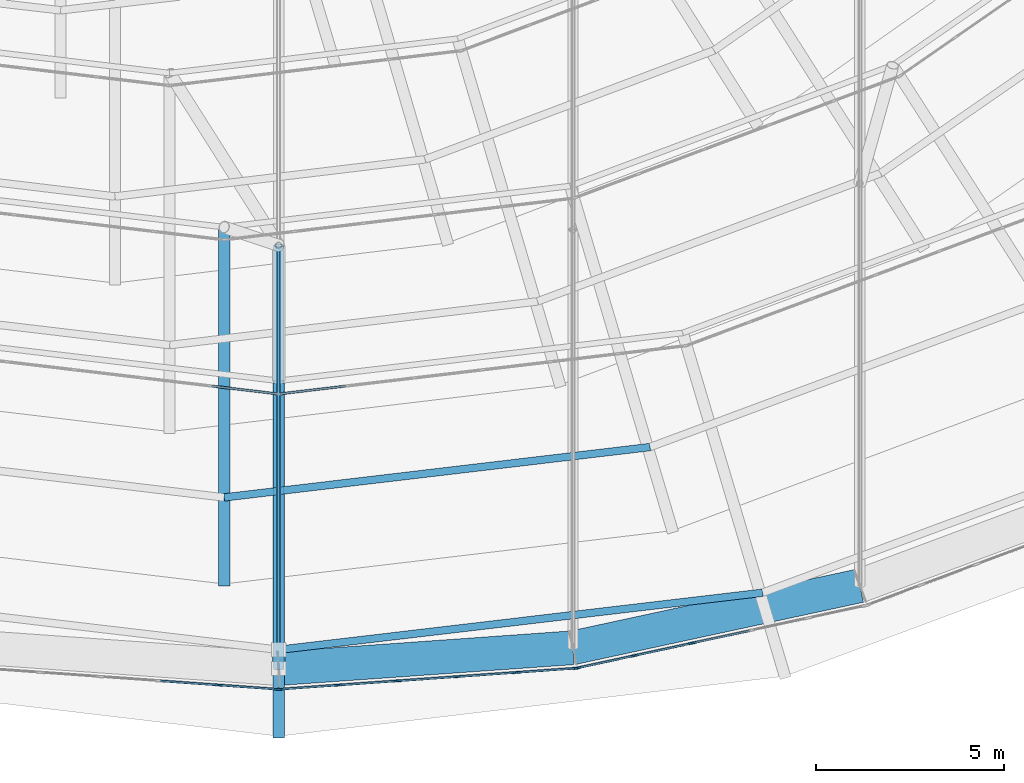
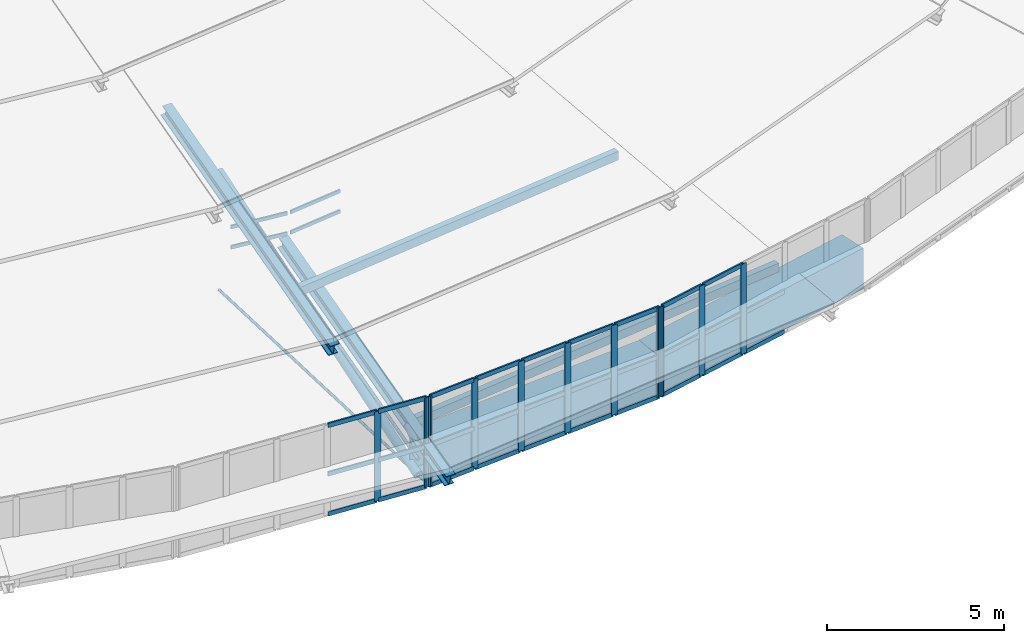
# One storey, part 13 of 173: 52 members, 2 beams, 5 elements without a shape of their own.
"""IFC4 building model written with IfcOpenShell, lengths in metres."""

from ifc_helpers import new_model, si_unit, direction, frame, origin, origin_2d, place, context, subcontext, project, spatial, rectangle, hollow_rectangle, circle, hollow_circle, i_section, extrude, material, material_profile, profile_set, type_object, element, aggregate, save


model = new_model("IFC4")

# Units and contexts
model_context = context("Model", 3, precision=1e-05, world=origin(), true_north=direction((0.0, 1.0)))
body_context = subcontext(model_context, "Body", "Model", "MODEL_VIEW")
ifc_project = project(units=[si_unit("LENGTHUNIT", "METRE"), si_unit("AREAUNIT", "SQUARE_METRE"), si_unit("VOLUMEUNIT", "CUBIC_METRE"), si_unit("PLANEANGLEUNIT", "RADIAN"), si_unit("MASSUNIT", "GRAM", prefix="KILO")], contexts=[model_context])

# Site, building, storey
site_placement = place(None, origin())
site = spatial("IfcSite", under=ifc_project, at=site_placement, CompositionType="ELEMENT")
building_placement = place(site_placement, origin())
building = spatial("IfcBuilding", under=site, at=building_placement, Name="Glasvene Arena", CompositionType="ELEMENT")
storey_placement = place(building_placement, frame((0.0, 0.0, 28.800048828125)))
storey = spatial("IfcBuildingStorey", under=building, at=storey_placement, Name="RF", CompositionType="ELEMENT", Elevation=28.800048828125)

# Beams
ifc_material_1 = material(Name="Steel S355J2", Category="steel")
ifc_material_profile_1 = material_profile(ifc_material_1, hollow_rectangle(XDim=0.89990234375, YDim=1.39990234375, WallThickness=0.034912109375, at=origin_2d()), Name="WBOX 900x1400x35")
ifc_profile_set_1 = profile_set([ifc_material_profile_1], Name="Steel S355J2")
beam_type = type_object("IfcBeamType", Name="BM-RING-BOX1400", PredefinedType="USERDEFINED", material=ifc_profile_set_1)
beam_1_placement = place(storey_placement, frame((92.0, 28.0, -0.699951171875), z_axis=(0.997501506622, 0.070645200029, 0.0), x_axis=(-0.070645200029, 0.997501506622, 0.0)))
element("IfcBeam", 1, at=beam_1_placement, inside=storey, type_object=beam_type, Name="Compression ring beam chord RB-31", ObjectType="RING BEAM", PredefinedType="USERDEFINED", context=body_context, shape_type="SweptSolid", body=[
    extrude(hollow_rectangle(XDim=0.89990234375, YDim=1.39990234375, WallThickness=0.034912109375, at=origin_2d()), origin(), (0.0, 0.0, 1.0), 7.84130859375),
])
beam_2_placement = place(storey_placement, frame((99.82177734375, 28.553955078125, -0.699951171875), z_axis=(0.977442097296, 0.211203566338, 0.0), x_axis=(-0.211203566338, 0.977442097296, 0.0)))
element("IfcBeam", 2, at=beam_2_placement, inside=storey, type_object=beam_type, Name="Compression ring beam chord RB-32", ObjectType="RING BEAM", PredefinedType="USERDEFINED", context=body_context, shape_type="SweptSolid", body=[
    extrude(hollow_rectangle(XDim=0.89990234375, YDim=1.39990234375, WallThickness=0.034912109375, at=origin_2d()), origin(), (0.0, 0.0, 1.0), 7.804931640625),
])

# Curtain wall, members
ifc_material_2 = material(Name="Low-emissivity laminated double glazing", Category="glass")
curtain_wall_type_1 = type_object("IfcCurtainWallType", Name="CW-DRUM-793x310", PredefinedType="USERDEFINED", material=ifc_material_2)
curtain_wall_1_placement = place(storey_placement, frame((84.09228515625, 28.0107421875, 0.0)))
curtain_wall_1 = element("IfcCurtainWall", 3, at=curtain_wall_1_placement, inside=storey, type_object=curtain_wall_type_1, Name="Crown compression-ring fascia curtain wall 30", ObjectType="CURTAIN WALL", PredefinedType="USERDEFINED")
ifc_material_3 = material(Name="Anodised architectural aluminium", Category="aluminium")
ifc_material_profile_2 = material_profile(ifc_material_3, rectangle(XDim=0.050048828125, YDim=0.199951171875, at=origin_2d()), Name="ALU MULLION 50x200")
ifc_profile_set_2 = profile_set([ifc_material_profile_2], Name="Anodised architectural aluminium")
member_type_1 = type_object("IfcMemberType", Name="CW-MUL-180", PredefinedType="MULLION", material=ifc_profile_set_2)
member_1_placement = place(storey_placement, frame((90.41845703125, 27.562255859375, -1.380126953125), z_axis=(0.0, 0.0, 1.0), x_axis=(0.07073966092, 0.997494812204, 0.0)))
member_1 = element("IfcMember", 4, at=member_1_placement, type_object=member_type_1, Name="CW-080 mullion 5", PredefinedType="MULLION", context=body_context, shape_type="SweptSolid", body=[
    extrude(rectangle(XDim=0.050048828125, YDim=0.199951171875, at=origin_2d()), origin(), (0.0, 0.0, 1.0), 3.10009765625),
])
member_2_placement = place(storey_placement, frame((91.97509765625, 27.45166015625, -1.380126953125), z_axis=(0.0, 0.0, 1.0), x_axis=(0.07073966092, 0.997494812204, 0.0)))
member_2 = element("IfcMember", 5, at=member_2_placement, type_object=member_type_1, Name="CW-080 mullion 6", PredefinedType="MULLION", context=body_context, shape_type="SweptSolid", body=[
    extrude(rectangle(XDim=0.050048828125, YDim=0.199951171875, at=origin_2d()), origin(), (0.0, 0.0, 1.0), 3.10009765625),
])

curtain_wall_2_placement = place(storey_placement, frame((92.0, 27.449951171875, 0.0)))
curtain_wall_2 = element("IfcCurtainWall", 6, at=curtain_wall_2_placement, inside=storey, type_object=curtain_wall_type_1, Name="Crown compression-ring fascia curtain wall 31", ObjectType="CURTAIN WALL", PredefinedType="USERDEFINED")
member_3_placement = place(storey_placement, frame((92.02490234375, 27.45166015625, -1.380126953125), z_axis=(0.0, 0.0, 1.0), x_axis=(-0.07073966092, 0.997494812204, 0.0)))
member_3 = element("IfcMember", 7, at=member_3_placement, type_object=member_type_1, Name="CW-080 mullion 1", PredefinedType="MULLION", context=body_context, shape_type="SweptSolid", body=[
    extrude(rectangle(XDim=0.050048828125, YDim=0.199951171875, at=origin_2d()), origin(), (0.0, 0.0, 1.0), 3.10009765625),
])
member_4_placement = place(storey_placement, frame((93.58154296875, 27.562255859375, -1.380126953125), z_axis=(0.0, 0.0, 1.0), x_axis=(-0.07073966092, 0.997494812204, 0.0)))
member_4 = element("IfcMember", 8, at=member_4_placement, type_object=member_type_1, Name="CW-080 mullion 2", PredefinedType="MULLION", context=body_context, shape_type="SweptSolid", body=[
    extrude(rectangle(XDim=0.050048828125, YDim=0.199951171875, at=origin_2d()), origin(), (0.0, 0.0, 1.0), 3.10009765625),
])
member_5_placement = place(storey_placement, frame((95.1630859375, 27.67431640625, -1.380126953125), z_axis=(0.0, 0.0, 1.0), x_axis=(-0.07073966092, 0.997494812204, 0.0)))
member_5 = element("IfcMember", 9, at=member_5_placement, type_object=member_type_1, Name="CW-080 mullion 3", PredefinedType="MULLION", context=body_context, shape_type="SweptSolid", body=[
    extrude(rectangle(XDim=0.050048828125, YDim=0.199951171875, at=origin_2d()), origin(), (0.0, 0.0, 1.0), 3.10009765625),
])
member_6_placement = place(storey_placement, frame((96.74462890625, 27.786376953125, -1.380126953125), z_axis=(0.0, 0.0, 1.0), x_axis=(-0.07073966092, 0.997494812204, 0.0)))
member_6 = element("IfcMember", 10, at=member_6_placement, type_object=member_type_1, Name="CW-080 mullion 4", PredefinedType="MULLION", context=body_context, shape_type="SweptSolid", body=[
    extrude(rectangle(XDim=0.050048828125, YDim=0.199951171875, at=origin_2d()), origin(), (0.0, 0.0, 1.0), 3.10009765625),
])
member_7_placement = place(storey_placement, frame((98.326171875, 27.898681640625, -1.380126953125), z_axis=(0.0, 0.0, 1.0), x_axis=(-0.07073966092, 0.997494812204, 0.0)))
member_7 = element("IfcMember", 11, at=member_7_placement, type_object=member_type_1, Name="CW-080 mullion 5", PredefinedType="MULLION", context=body_context, shape_type="SweptSolid", body=[
    extrude(rectangle(XDim=0.050048828125, YDim=0.199951171875, at=origin_2d()), origin(), (0.0, 0.0, 1.0), 3.10009765625),
])
member_8_placement = place(storey_placement, frame((99.8828125, 28.009033203125, -1.380126953125), z_axis=(0.0, 0.0, 1.0), x_axis=(-0.07073966092, 0.997494812204, 0.0)))
member_8 = element("IfcMember", 12, at=member_8_placement, type_object=member_type_1, Name="CW-080 mullion 6", PredefinedType="MULLION", context=body_context, shape_type="SweptSolid", body=[
    extrude(rectangle(XDim=0.050048828125, YDim=0.199951171875, at=origin_2d()), origin(), (0.0, 0.0, 1.0), 3.10009765625),
])

curtain_wall_type_2 = type_object("IfcCurtainWallType", Name="CW-DRUM-789x310", PredefinedType="USERDEFINED", material=ifc_material_2)
curtain_wall_3_placement = place(storey_placement, frame((99.90771484375, 28.0107421875, 0.0)))
curtain_wall_3 = element("IfcCurtainWall", 13, at=curtain_wall_3_placement, inside=storey, type_object=curtain_wall_type_2, Name="Crown compression-ring fascia curtain wall 32", ObjectType="CURTAIN WALL", PredefinedType="USERDEFINED")
member_9_placement = place(storey_placement, frame((99.93212890625, 28.01611328125, -1.380126953125), z_axis=(0.0, 0.0, 1.0), x_axis=(-0.211444690135, 0.977389964658, 0.0)))
member_9 = element("IfcMember", 14, at=member_9_placement, type_object=member_type_1, Name="CW-079 mullion 1", PredefinedType="MULLION", context=body_context, shape_type="SweptSolid", body=[
    extrude(rectangle(XDim=0.050048828125, YDim=0.199951171875, at=origin_2d()), origin(), (0.0, 0.0, 1.0), 3.10009765625),
])
member_10_placement = place(storey_placement, frame((101.450439453125, 28.344482421875, -1.380126953125), z_axis=(0.0, 0.0, 1.0), x_axis=(-0.211444690135, 0.977389964658, 0.0)))
member_10 = element("IfcMember", 15, at=member_10_placement, type_object=member_type_1, Name="CW-079 mullion 2", PredefinedType="MULLION", context=body_context, shape_type="SweptSolid", body=[
    extrude(rectangle(XDim=0.050048828125, YDim=0.199951171875, at=origin_2d()), origin(), (0.0, 0.0, 1.0), 3.10009765625),
])
member_11_placement = place(storey_placement, frame((102.992919921875, 28.67822265625, -1.380126953125), z_axis=(0.0, 0.0, 1.0), x_axis=(-0.211444690135, 0.977389964658, 0.0)))
member_11 = element("IfcMember", 16, at=member_11_placement, type_object=member_type_1, Name="CW-079 mullion 3", PredefinedType="MULLION", context=body_context, shape_type="SweptSolid", body=[
    extrude(rectangle(XDim=0.050048828125, YDim=0.199951171875, at=origin_2d()), origin(), (0.0, 0.0, 1.0), 3.10009765625),
])

curtain_wall_type_3 = type_object("IfcCurtainWallType", Name="CW-PET1-1091x75", PredefinedType="USERDEFINED", material=ifc_material_2)
curtain_wall_4_placement = place(storey_placement, frame((81.16845703125, 36.584716796875, 0.0)))
curtain_wall_4 = element("IfcCurtainWall", 17, at=curtain_wall_4_placement, inside=storey, type_object=curtain_wall_type_3, Name="Petal ring 1-2 clerestory curtain wall 18", ObjectType="CURTAIN WALL", PredefinedType="USERDEFINED")
ifc_material_profile_3 = material_profile(ifc_material_3, rectangle(XDim=0.050048828125, YDim=0.1201171875, at=origin_2d()), Name="ALU TRANSOM 50x120")
ifc_profile_set_3 = profile_set([ifc_material_profile_3], Name="Anodised architectural aluminium")
member_type_2 = type_object("IfcMemberType", Name="CW-TRN-120", PredefinedType="USERDEFINED", material=ifc_profile_set_3)
member_12_placement = place(storey_placement, frame((90.219482421875, 35.51123046875, 2.60498046875), z_axis=(0.993038290956, -0.117791989096, 0.0), x_axis=(0.117791989096, 0.993038290956, 0.0)))
member_12 = element("IfcMember", 18, at=member_12_placement, type_object=member_type_2, Name="CW-086 transom 6.1", ObjectType="TRANSOM", PredefinedType="USERDEFINED", context=body_context, shape_type="SweptSolid", body=[
    extrude(rectangle(XDim=0.050048828125, YDim=0.1201171875, at=origin_2d()), origin(), (0.0, 0.0, 1.0), 1.7431640625),
])
member_13_placement = place(storey_placement, frame((90.219482421875, 35.51123046875, 3.304931640625), z_axis=(0.993038290956, -0.117791989096, 0.0), x_axis=(0.117791989096, 0.993038290956, 0.0)))
member_13 = element("IfcMember", 19, at=member_13_placement, type_object=member_type_2, Name="CW-086 transom 6.2", ObjectType="TRANSOM", PredefinedType="USERDEFINED", context=body_context, shape_type="SweptSolid", body=[
    extrude(rectangle(XDim=0.050048828125, YDim=0.1201171875, at=origin_2d()), origin(), (0.0, 0.0, 1.0), 1.7431640625),
])
aggregate(curtain_wall_4, [member_12, member_13])

curtain_wall_5_placement = place(storey_placement, frame((92.0, 35.300048828125, 0.0)))
curtain_wall_5 = element("IfcCurtainWall", 20, at=curtain_wall_5_placement, inside=storey, type_object=curtain_wall_type_3, Name="Petal ring 1-2 clerestory curtain wall 19", ObjectType="CURTAIN WALL", PredefinedType="USERDEFINED")
member_14_placement = place(storey_placement, frame((92.049560546875, 35.305908203125, 2.60498046875), z_axis=(0.993038290956, 0.117791989096, 0.0), x_axis=(-0.117791989096, 0.993038290956, 0.0)))
member_14 = element("IfcMember", 21, at=member_14_placement, type_object=member_type_2, Name="CW-086 transom 1.1", ObjectType="TRANSOM", PredefinedType="USERDEFINED", context=body_context, shape_type="SweptSolid", body=[
    extrude(rectangle(XDim=0.050048828125, YDim=0.1201171875, at=origin_2d()), origin(), (0.0, 0.0, 1.0), 1.7431640625),
])
member_15_placement = place(storey_placement, frame((92.049560546875, 35.305908203125, 3.304931640625), z_axis=(0.993038290956, 0.117791989096, 0.0), x_axis=(-0.117791989096, 0.993038290956, 0.0)))
member_15 = element("IfcMember", 22, at=member_15_placement, type_object=member_type_2, Name="CW-086 transom 1.2", ObjectType="TRANSOM", PredefinedType="USERDEFINED", context=body_context, shape_type="SweptSolid", body=[
    extrude(rectangle(XDim=0.050048828125, YDim=0.1201171875, at=origin_2d()), origin(), (0.0, 0.0, 1.0), 1.7431640625),
])
aggregate(curtain_wall_5, [member_14, member_15])

# Member
ifc_material_profile_4 = material_profile(ifc_material_3, rectangle(XDim=0.050048828125, YDim=0.14990234375, at=origin_2d()), Name="ALU TRANSOM 50x150")
ifc_profile_set_4 = profile_set([ifc_material_profile_4], Name="Anodised architectural aluminium")
member_type_3 = type_object("IfcMemberType", Name="CW-TRN-150", PredefinedType="USERDEFINED", material=ifc_profile_set_4)
member_16_placement = place(storey_placement, frame((88.86181640625, 27.672607421875, -1.35498046875), z_axis=(0.997494086071, -0.070749899315, 0.0), x_axis=(0.070749899315, 0.997494086071, 0.0)))
member_16 = element("IfcMember", 23, at=member_16_placement, type_object=member_type_3, Name="CW-080 transom 4.1", ObjectType="TRANSOM", PredefinedType="USERDEFINED", context=body_context, shape_type="SweptSolid", body=[
    extrude(rectangle(XDim=0.050048828125, YDim=0.14990234375, at=origin_2d()), origin(), (0.0, 0.0, 1.0), 1.53564453125),
])

member_17_placement = place(storey_placement, frame((88.86181640625, 27.672607421875, 0.02001953125), z_axis=(0.997494086071, -0.070749899315, 0.0), x_axis=(0.070749899315, 0.997494086071, 0.0)))
member_17 = element("IfcMember", 24, at=member_17_placement, type_object=member_type_3, Name="CW-080 transom 4.2", ObjectType="TRANSOM", PredefinedType="USERDEFINED", context=body_context, shape_type="SweptSolid", body=[
    extrude(rectangle(XDim=0.050048828125, YDim=0.14990234375, at=origin_2d()), origin(), (0.0, 0.0, 1.0), 1.53564453125),
])

member_18_placement = place(storey_placement, frame((88.86181640625, 27.672607421875, 1.695068359375), z_axis=(0.997494086071, -0.070749899315, 0.0), x_axis=(0.070749899315, 0.997494086071, 0.0)))
member_18 = element("IfcMember", 25, at=member_18_placement, type_object=member_type_3, Name="CW-080 transom 4.3", ObjectType="TRANSOM", PredefinedType="USERDEFINED", context=body_context, shape_type="SweptSolid", body=[
    extrude(rectangle(XDim=0.050048828125, YDim=0.14990234375, at=origin_2d()), origin(), (0.0, 0.0, 1.0), 1.53564453125),
])

member_19_placement = place(storey_placement, frame((90.443359375, 27.560302734375, -1.35498046875), z_axis=(0.997502808232, -0.070626819053, 0.0), x_axis=(0.070626819053, 0.997502808232, 0.0)))
member_19 = element("IfcMember", 26, at=member_19_placement, type_object=member_type_3, Name="CW-080 transom 5.1", ObjectType="TRANSOM", PredefinedType="USERDEFINED", context=body_context, shape_type="SweptSolid", body=[
    extrude(rectangle(XDim=0.050048828125, YDim=0.14990234375, at=origin_2d()), origin(), (0.0, 0.0, 1.0), 1.510498046875),
])

member_20_placement = place(storey_placement, frame((90.443359375, 27.560302734375, 0.02001953125), z_axis=(0.997502808232, -0.070626819053, 0.0), x_axis=(0.070626819053, 0.997502808232, 0.0)))
member_20 = element("IfcMember", 27, at=member_20_placement, type_object=member_type_3, Name="CW-080 transom 5.2", ObjectType="TRANSOM", PredefinedType="USERDEFINED", context=body_context, shape_type="SweptSolid", body=[
    extrude(rectangle(XDim=0.050048828125, YDim=0.14990234375, at=origin_2d()), origin(), (0.0, 0.0, 1.0), 1.510498046875),
])

member_21_placement = place(storey_placement, frame((90.443359375, 27.560302734375, 1.695068359375), z_axis=(0.997502808232, -0.070626819053, 0.0), x_axis=(0.070626819053, 0.997502808232, 0.0)))
member_21 = element("IfcMember", 28, at=member_21_placement, type_object=member_type_3, Name="CW-080 transom 5.3", ObjectType="TRANSOM", PredefinedType="USERDEFINED", context=body_context, shape_type="SweptSolid", body=[
    extrude(rectangle(XDim=0.050048828125, YDim=0.14990234375, at=origin_2d()), origin(), (0.0, 0.0, 1.0), 1.510498046875),
])

aggregate(curtain_wall_1, [member_1, member_2, member_16, member_17, member_18, member_19, member_20, member_21])

member_22_placement = place(storey_placement, frame((92.0498046875, 27.45361328125, -1.35498046875), z_axis=(0.997502808232, 0.070626819053, 0.0), x_axis=(-0.070626819053, 0.997502808232, 0.0)))
member_22 = element("IfcMember", 29, at=member_22_placement, type_object=member_type_3, Name="CW-080 transom 1.1", ObjectType="TRANSOM", PredefinedType="USERDEFINED", context=body_context, shape_type="SweptSolid", body=[
    extrude(rectangle(XDim=0.050048828125, YDim=0.14990234375, at=origin_2d()), origin(), (0.0, 0.0, 1.0), 1.510498046875),
])

member_23_placement = place(storey_placement, frame((92.0498046875, 27.45361328125, 0.02001953125), z_axis=(0.997502808232, 0.070626819053, 0.0), x_axis=(-0.070626819053, 0.997502808232, 0.0)))
member_23 = element("IfcMember", 30, at=member_23_placement, type_object=member_type_3, Name="CW-080 transom 1.2", ObjectType="TRANSOM", PredefinedType="USERDEFINED", context=body_context, shape_type="SweptSolid", body=[
    extrude(rectangle(XDim=0.050048828125, YDim=0.14990234375, at=origin_2d()), origin(), (0.0, 0.0, 1.0), 1.510498046875),
])

member_24_placement = place(storey_placement, frame((92.0498046875, 27.45361328125, 1.695068359375), z_axis=(0.997502808232, 0.070626819053, 0.0), x_axis=(-0.070626819053, 0.997502808232, 0.0)))
member_24 = element("IfcMember", 31, at=member_24_placement, type_object=member_type_3, Name="CW-080 transom 1.3", ObjectType="TRANSOM", PredefinedType="USERDEFINED", context=body_context, shape_type="SweptSolid", body=[
    extrude(rectangle(XDim=0.050048828125, YDim=0.14990234375, at=origin_2d()), origin(), (0.0, 0.0, 1.0), 1.510498046875),
])

member_25_placement = place(storey_placement, frame((93.6064453125, 27.56396484375, -1.35498046875), z_axis=(0.997494086071, 0.070749899315, 0.0), x_axis=(-0.070749899315, 0.997494086071, 0.0)))
member_25 = element("IfcMember", 32, at=member_25_placement, type_object=member_type_3, Name="CW-080 transom 2.1", ObjectType="TRANSOM", PredefinedType="USERDEFINED", context=body_context, shape_type="SweptSolid", body=[
    extrude(rectangle(XDim=0.050048828125, YDim=0.14990234375, at=origin_2d()), origin(), (0.0, 0.0, 1.0), 1.53564453125),
])

member_26_placement = place(storey_placement, frame((93.6064453125, 27.56396484375, 0.02001953125), z_axis=(0.997494086071, 0.070749899315, 0.0), x_axis=(-0.070749899315, 0.997494086071, 0.0)))
member_26 = element("IfcMember", 33, at=member_26_placement, type_object=member_type_3, Name="CW-080 transom 2.2", ObjectType="TRANSOM", PredefinedType="USERDEFINED", context=body_context, shape_type="SweptSolid", body=[
    extrude(rectangle(XDim=0.050048828125, YDim=0.14990234375, at=origin_2d()), origin(), (0.0, 0.0, 1.0), 1.53564453125),
])

member_27_placement = place(storey_placement, frame((93.6064453125, 27.56396484375, 1.695068359375), z_axis=(0.997494086071, 0.070749899315, 0.0), x_axis=(-0.070749899315, 0.997494086071, 0.0)))
member_27 = element("IfcMember", 34, at=member_27_placement, type_object=member_type_3, Name="CW-080 transom 2.3", ObjectType="TRANSOM", PredefinedType="USERDEFINED", context=body_context, shape_type="SweptSolid", body=[
    extrude(rectangle(XDim=0.050048828125, YDim=0.14990234375, at=origin_2d()), origin(), (0.0, 0.0, 1.0), 1.53564453125),
])

member_28_placement = place(storey_placement, frame((95.18798828125, 27.676025390625, -1.35498046875), z_axis=(0.997494086071, 0.070749899315, 0.0), x_axis=(-0.070749899315, 0.997494086071, 0.0)))
member_28 = element("IfcMember", 35, at=member_28_placement, type_object=member_type_3, Name="CW-080 transom 3.1", ObjectType="TRANSOM", PredefinedType="USERDEFINED", context=body_context, shape_type="SweptSolid", body=[
    extrude(rectangle(XDim=0.050048828125, YDim=0.14990234375, at=origin_2d()), origin(), (0.0, 0.0, 1.0), 1.53564453125),
])

member_29_placement = place(storey_placement, frame((95.18798828125, 27.676025390625, 0.02001953125), z_axis=(0.997494086071, 0.070749899315, 0.0), x_axis=(-0.070749899315, 0.997494086071, 0.0)))
member_29 = element("IfcMember", 36, at=member_29_placement, type_object=member_type_3, Name="CW-080 transom 3.2", ObjectType="TRANSOM", PredefinedType="USERDEFINED", context=body_context, shape_type="SweptSolid", body=[
    extrude(rectangle(XDim=0.050048828125, YDim=0.14990234375, at=origin_2d()), origin(), (0.0, 0.0, 1.0), 1.53564453125),
])

member_30_placement = place(storey_placement, frame((95.18798828125, 27.676025390625, 1.695068359375), z_axis=(0.997494086071, 0.070749899315, 0.0), x_axis=(-0.070749899315, 0.997494086071, 0.0)))
member_30 = element("IfcMember", 37, at=member_30_placement, type_object=member_type_3, Name="CW-080 transom 3.3", ObjectType="TRANSOM", PredefinedType="USERDEFINED", context=body_context, shape_type="SweptSolid", body=[
    extrude(rectangle(XDim=0.050048828125, YDim=0.14990234375, at=origin_2d()), origin(), (0.0, 0.0, 1.0), 1.53564453125),
])

member_31_placement = place(storey_placement, frame((96.76953125, 27.788330078125, -1.35498046875), z_axis=(0.997494086071, 0.070749899315, 0.0), x_axis=(-0.070749899315, 0.997494086071, 0.0)))
member_31 = element("IfcMember", 38, at=member_31_placement, type_object=member_type_3, Name="CW-080 transom 4.1", ObjectType="TRANSOM", PredefinedType="USERDEFINED", context=body_context, shape_type="SweptSolid", body=[
    extrude(rectangle(XDim=0.050048828125, YDim=0.14990234375, at=origin_2d()), origin(), (0.0, 0.0, 1.0), 1.53564453125),
])

member_32_placement = place(storey_placement, frame((96.76953125, 27.788330078125, 0.02001953125), z_axis=(0.997494086071, 0.070749899315, 0.0), x_axis=(-0.070749899315, 0.997494086071, 0.0)))
member_32 = element("IfcMember", 39, at=member_32_placement, type_object=member_type_3, Name="CW-080 transom 4.2", ObjectType="TRANSOM", PredefinedType="USERDEFINED", context=body_context, shape_type="SweptSolid", body=[
    extrude(rectangle(XDim=0.050048828125, YDim=0.14990234375, at=origin_2d()), origin(), (0.0, 0.0, 1.0), 1.53564453125),
])

member_33_placement = place(storey_placement, frame((96.76953125, 27.788330078125, 1.695068359375), z_axis=(0.997494086071, 0.070749899315, 0.0), x_axis=(-0.070749899315, 0.997494086071, 0.0)))
member_33 = element("IfcMember", 40, at=member_33_placement, type_object=member_type_3, Name="CW-080 transom 4.3", ObjectType="TRANSOM", PredefinedType="USERDEFINED", context=body_context, shape_type="SweptSolid", body=[
    extrude(rectangle(XDim=0.050048828125, YDim=0.14990234375, at=origin_2d()), origin(), (0.0, 0.0, 1.0), 1.53564453125),
])

member_34_placement = place(storey_placement, frame((98.35107421875, 27.900390625, -1.35498046875), z_axis=(0.997491409379, 0.070787627561, 0.0), x_axis=(-0.070787627561, 0.997491409379, 0.0)))
member_34 = element("IfcMember", 41, at=member_34_placement, type_object=member_type_3, Name="CW-080 transom 5.1", ObjectType="TRANSOM", PredefinedType="USERDEFINED", context=body_context, shape_type="SweptSolid", body=[
    extrude(rectangle(XDim=0.050048828125, YDim=0.14990234375, at=origin_2d()), origin(), (0.0, 0.0, 1.0), 1.5107421875),
])

member_35_placement = place(storey_placement, frame((98.35107421875, 27.900390625, 0.02001953125), z_axis=(0.997491409379, 0.070787627561, 0.0), x_axis=(-0.070787627561, 0.997491409379, 0.0)))
member_35 = element("IfcMember", 42, at=member_35_placement, type_object=member_type_3, Name="CW-080 transom 5.2", ObjectType="TRANSOM", PredefinedType="USERDEFINED", context=body_context, shape_type="SweptSolid", body=[
    extrude(rectangle(XDim=0.050048828125, YDim=0.14990234375, at=origin_2d()), origin(), (0.0, 0.0, 1.0), 1.5107421875),
])

member_36_placement = place(storey_placement, frame((98.35107421875, 27.900390625, 1.695068359375), z_axis=(0.997491409379, 0.070787627561, 0.0), x_axis=(-0.070787627561, 0.997491409379, 0.0)))
member_36 = element("IfcMember", 43, at=member_36_placement, type_object=member_type_3, Name="CW-080 transom 5.3", ObjectType="TRANSOM", PredefinedType="USERDEFINED", context=body_context, shape_type="SweptSolid", body=[
    extrude(rectangle(XDim=0.050048828125, YDim=0.14990234375, at=origin_2d()), origin(), (0.0, 0.0, 1.0), 1.5107421875),
])

aggregate(curtain_wall_2, [member_3, member_4, member_5, member_6, member_7, member_8, member_22, member_23, member_24, member_25, member_26, member_27, member_28, member_29, member_30, member_31, member_32, member_33, member_34, member_35, member_36])

member_37_placement = place(storey_placement, frame((99.956787109375, 28.021484375, -1.35498046875), z_axis=(0.977386956686, 0.211458593819, 0.0), x_axis=(-0.211458593819, 0.977386956686, 0.0)))
member_37 = element("IfcMember", 44, at=member_37_placement, type_object=member_type_3, Name="CW-079 transom 1.1", ObjectType="TRANSOM", PredefinedType="USERDEFINED", context=body_context, shape_type="SweptSolid", body=[
    extrude(rectangle(XDim=0.050048828125, YDim=0.14990234375, at=origin_2d()), origin(), (0.0, 0.0, 1.0), 1.503173828125),
])

member_38_placement = place(storey_placement, frame((99.956787109375, 28.021484375, 0.02001953125), z_axis=(0.977386956686, 0.211458593819, 0.0), x_axis=(-0.211458593819, 0.977386956686, 0.0)))
member_38 = element("IfcMember", 45, at=member_38_placement, type_object=member_type_3, Name="CW-079 transom 1.2", ObjectType="TRANSOM", PredefinedType="USERDEFINED", context=body_context, shape_type="SweptSolid", body=[
    extrude(rectangle(XDim=0.050048828125, YDim=0.14990234375, at=origin_2d()), origin(), (0.0, 0.0, 1.0), 1.503173828125),
])

member_39_placement = place(storey_placement, frame((99.956787109375, 28.021484375, 1.695068359375), z_axis=(0.977386956686, 0.211458593819, 0.0), x_axis=(-0.211458593819, 0.977386956686, 0.0)))
member_39 = element("IfcMember", 46, at=member_39_placement, type_object=member_type_3, Name="CW-079 transom 1.3", ObjectType="TRANSOM", PredefinedType="USERDEFINED", context=body_context, shape_type="SweptSolid", body=[
    extrude(rectangle(XDim=0.050048828125, YDim=0.14990234375, at=origin_2d()), origin(), (0.0, 0.0, 1.0), 1.503173828125),
])

member_40_placement = place(storey_placement, frame((101.474853515625, 28.349853515625, -1.35498046875), z_axis=(0.977407921799, 0.2113616673, 0.0), x_axis=(-0.2113616673, 0.977407921799, 0.0)))
member_40 = element("IfcMember", 47, at=member_40_placement, type_object=member_type_3, Name="CW-079 transom 2.1", ObjectType="TRANSOM", PredefinedType="USERDEFINED", context=body_context, shape_type="SweptSolid", body=[
    extrude(rectangle(XDim=0.050048828125, YDim=0.14990234375, at=origin_2d()), origin(), (0.0, 0.0, 1.0), 1.528076171875),
])

member_41_placement = place(storey_placement, frame((101.474853515625, 28.349853515625, 0.02001953125), z_axis=(0.977407921799, 0.2113616673, 0.0), x_axis=(-0.2113616673, 0.977407921799, 0.0)))
member_41 = element("IfcMember", 48, at=member_41_placement, type_object=member_type_3, Name="CW-079 transom 2.2", ObjectType="TRANSOM", PredefinedType="USERDEFINED", context=body_context, shape_type="SweptSolid", body=[
    extrude(rectangle(XDim=0.050048828125, YDim=0.14990234375, at=origin_2d()), origin(), (0.0, 0.0, 1.0), 1.528076171875),
])

member_42_placement = place(storey_placement, frame((101.474853515625, 28.349853515625, 1.695068359375), z_axis=(0.977407921799, 0.2113616673, 0.0), x_axis=(-0.2113616673, 0.977407921799, 0.0)))
member_42 = element("IfcMember", 49, at=member_42_placement, type_object=member_type_3, Name="CW-079 transom 2.3", ObjectType="TRANSOM", PredefinedType="USERDEFINED", context=body_context, shape_type="SweptSolid", body=[
    extrude(rectangle(XDim=0.050048828125, YDim=0.14990234375, at=origin_2d()), origin(), (0.0, 0.0, 1.0), 1.528076171875),
])

member_43_placement = place(storey_placement, frame((103.017333984375, 28.68359375, -1.35498046875), z_axis=(0.97741505718, 0.211328668189, 0.0), x_axis=(-0.211328668189, 0.97741505718, 0.0)))
member_43 = element("IfcMember", 50, at=member_43_placement, type_object=member_type_3, Name="CW-079 transom 3.1", ObjectType="TRANSOM", PredefinedType="USERDEFINED", context=body_context, shape_type="SweptSolid", body=[
    extrude(rectangle(XDim=0.050048828125, YDim=0.14990234375, at=origin_2d()), origin(), (0.0, 0.0, 1.0), 1.5283203125),
])

member_44_placement = place(storey_placement, frame((103.017333984375, 28.68359375, 0.02001953125), z_axis=(0.97741505718, 0.211328668189, 0.0), x_axis=(-0.211328668189, 0.97741505718, 0.0)))
member_44 = element("IfcMember", 51, at=member_44_placement, type_object=member_type_3, Name="CW-079 transom 3.2", ObjectType="TRANSOM", PredefinedType="USERDEFINED", context=body_context, shape_type="SweptSolid", body=[
    extrude(rectangle(XDim=0.050048828125, YDim=0.14990234375, at=origin_2d()), origin(), (0.0, 0.0, 1.0), 1.5283203125),
])

aggregate(curtain_wall_3, [member_9, member_10, member_11, member_37, member_38, member_39, member_40, member_41, member_42, member_43, member_44])

# Members
ifc_material_4 = material(Name="High-strength steel spiral strand S460", Category="steel")
ifc_material_profile_5 = material_profile(ifc_material_4, circle(Radius=0.052490234375, at=origin_2d()), Name="LCSS D105")
ifc_profile_set_5 = profile_set([ifc_material_profile_5], Name="High-strength steel spiral strand S460")
member_type_4 = type_object("IfcMemberType", Name="MB-CABLE-105", PredefinedType="USERDEFINED", material=ifc_profile_set_5)
member_45_placement = place(storey_placement, frame((92.0, 28.0, -0.780029296875), z_axis=(0.0, 0.963873072294, 0.266361972712), x_axis=(-1.0, 0.0, 0.0)))
element("IfcMember", 52, at=member_45_placement, inside=storey, type_object=member_type_4, Name="Upper lens roof cable NS05-01", ObjectType="ROOF CABLE", PredefinedType="USERDEFINED", context=body_context, shape_type="SweptSolid", body=[
    extrude(circle(Radius=0.052490234375, at=origin_2d()), origin(), (0.0, 0.0, 1.0), 11.671630859375),
])
ifc_material_profile_6 = material_profile(ifc_material_4, circle(Radius=0.044921875, at=origin_2d()), Name="LCSS D90")
ifc_profile_set_6 = profile_set([ifc_material_profile_6], Name="High-strength steel spiral strand S460")
member_type_5 = type_object("IfcMemberType", Name="MB-CABLE-90", PredefinedType="USERDEFINED", material=ifc_profile_set_6)
member_46_placement = place(storey_placement, frame((92.0, 28.0, -1.320068359375), z_axis=(0.0, 0.999259764573, -0.03846976611), x_axis=(-1.0, 0.0, 0.0)))
element("IfcMember", 53, at=member_46_placement, inside=storey, type_object=member_type_5, Name="Lower stabilization roof cable NS05-01", ObjectType="ROOF CABLE", PredefinedType="USERDEFINED", context=body_context, shape_type="SweptSolid", body=[
    extrude(circle(Radius=0.044921875, at=origin_2d()), origin(), (0.0, 0.0, 1.0), 11.25830078125),
])
ifc_material_profile_7 = material_profile(ifc_material_1, i_section(OverallWidth=0.300048828125, OverallDepth=0.39990234375, WebThickness=0.013427734375, FlangeThickness=0.02392578125, FilletRadius=0.027099609375, at=origin_2d()), Name="HEB 400")
ifc_profile_set_7 = profile_set([ifc_material_profile_7], Name="Steel S355J2")
member_type_6 = type_object("IfcMemberType", Name="MB-CHORD-HEB400", PredefinedType="CHORD", material=ifc_profile_set_7)
member_47_placement = place(storey_placement, frame((92.0, 26.199951171875, -0.400146484375), z_axis=(0.0, 0.96674210623, 0.255753201431), x_axis=(-1.0, 0.0, 0.0)))
element("IfcMember", 54, at=member_47_placement, inside=storey, type_object=member_type_6, Name="Petal ring 1 radial rib 19", PredefinedType="CHORD", context=body_context, shape_type="SweptSolid", body=[
    extrude(i_section(OverallWidth=0.300048828125, OverallDepth=0.39990234375, WebThickness=0.013427734375, FlangeThickness=0.02392578125, FilletRadius=0.027099609375, at=origin_2d()), origin(), (0.0, 0.0, 1.0), 9.775146484375),
])
member_48_placement = place(storey_placement, frame((90.550048828125, 30.25, 2.14990234375), z_axis=(0.0, 0.965710250787, 0.259622247747), x_axis=(-1.0, 0.0, 0.0)))
element("IfcMember", 55, at=member_48_placement, inside=storey, type_object=member_type_6, Name="Petal ring 2 radial rib 19", PredefinedType="CHORD", context=body_context, shape_type="SweptSolid", body=[
    extrude(i_section(OverallWidth=0.300048828125, OverallDepth=0.39990234375, WebThickness=0.013427734375, FlangeThickness=0.02392578125, FilletRadius=0.027099609375, at=origin_2d()), origin(), (0.0, 0.0, 1.0), 9.822265625),
])
ifc_material_profile_8 = material_profile(ifc_material_1, hollow_circle(Radius=0.161865234375, WallThickness=0.01611328125, at=origin_2d()), Name="CHS 323.9x16.0")
ifc_profile_set_8 = profile_set([ifc_material_profile_8], Name="Steel S355J2")
member_type_7 = type_object("IfcMemberType", Name="MB-POST-CHS324", PredefinedType="BRACE", material=ifc_profile_set_8)
member_49_placement = place(storey_placement, frame((92.0, 28.0, -0.300048828125), z_axis=(0.0, 0.73042636681, 0.682991451387), x_axis=(-1.0, 0.0, 0.0)))
element("IfcMember", 56, at=member_49_placement, inside=storey, type_object=member_type_7, Name="Petal ring 1 outer support post 19", PredefinedType="BRACE", context=body_context, shape_type="SweptSolid", body=[
    extrude(hollow_circle(Radius=0.161865234375, WallThickness=0.01611328125, at=origin_2d()), origin(), (0.0, 0.0, 1.0), 0.6845703125),
])
ifc_material_profile_9 = material_profile(ifc_material_1, hollow_rectangle(XDim=0.199951171875, YDim=0.300048828125, WallThickness=0.012451171875, at=origin_2d()), Name="RHS 300x200x12.5")
ifc_profile_set_9 = profile_set([ifc_material_profile_9], Name="Steel S355J2")
member_type_8 = type_object("IfcMemberType", Name="MB-PURLIN-RHS300", PredefinedType="PURLIN", material=ifc_profile_set_9)
member_50_placement = place(storey_placement, frame((92.0, 28.5, 0.16748046875), z_axis=(0.993123429608, 0.117072001619, 0.0), x_axis=(-0.117072001619, 0.993123429608, 0.0)))
element("IfcMember", 57, at=member_50_placement, inside=storey, type_object=member_type_8, Name="Petal ring 1 outer purlin 19", PredefinedType="PURLIN", context=body_context, shape_type="SweptSolid", body=[
    extrude(hollow_rectangle(XDim=0.199951171875, YDim=0.300048828125, WallThickness=0.012451171875, at=origin_2d()), origin(), (0.0, 0.0, 1.0), 12.952392578125),
])
member_51_placement = place(storey_placement, frame((90.550048828125, 32.550048828125, 2.728515625), z_axis=(0.993079536053, 0.117443752808, 0.0), x_axis=(-0.117443752808, 0.993079536053, 0.0)))
element("IfcMember", 58, at=member_51_placement, inside=storey, type_object=member_type_8, Name="Petal ring 2 outer purlin 19", PredefinedType="PURLIN", context=body_context, shape_type="SweptSolid", body=[
    extrude(hollow_rectangle(XDim=0.199951171875, YDim=0.300048828125, WallThickness=0.012451171875, at=origin_2d()), origin(), (0.0, 0.0, 1.0), 11.402099609375),
])
ifc_material_profile_10 = material_profile(ifc_material_1, hollow_circle(Radius=0.136474609375, WallThickness=0.012451171875, at=origin_2d()), Name="CHS 273.0x12.5")
ifc_profile_set_10 = profile_set([ifc_material_profile_10], Name="Steel S355J2")
member_type_9 = type_object("IfcMemberType", Name="MB-WEB-CHS273", PredefinedType="BRACE", material=ifc_profile_set_10)
member_52_placement = place(storey_placement, frame((92.0, 28.0, -1.320068359375), z_axis=(0.0, 0.951215942358, 0.308525900054), x_axis=(-1.0, 0.0, 0.0)))
element("IfcMember", 59, at=member_52_placement, inside=storey, type_object=member_type_9, Name="Cable-truss diagonal web strut NS05-01", PredefinedType="BRACE", context=body_context, shape_type="SweptSolid", body=[
    extrude(hollow_circle(Radius=0.136474609375, WallThickness=0.012451171875, at=origin_2d()), origin(), (0.0, 0.0, 1.0), 11.826904296875),
])

save(model, "model.ifc")
